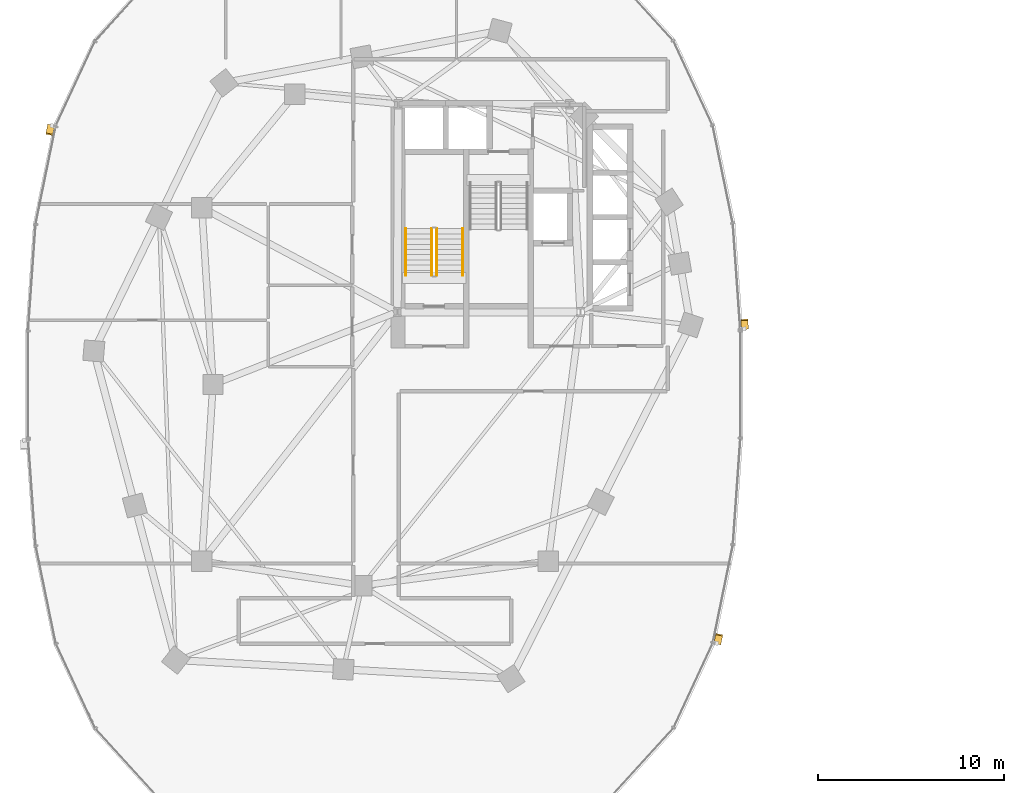
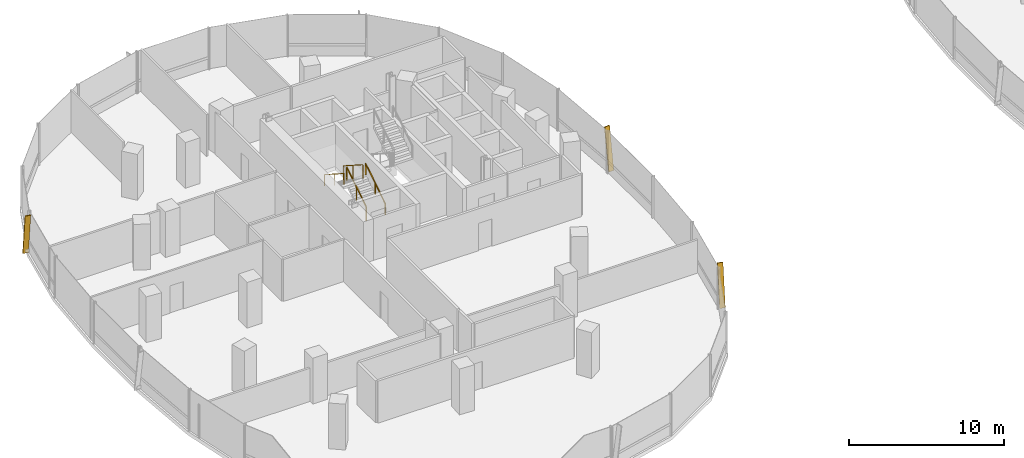
# One storey, part 18 of 21: 4 railings, 3 shading devices.
"""IFC4 building model written with IfcOpenShell, lengths in metres."""

from ifc_helpers import new_model, si_unit, direction, frame, origin, origin_2d, place, context, subcontext, project, spatial, rectangle, extrude, material, material_profile, profile_set, type_object, element, save


model = new_model("IFC4")

# Units and contexts
model_context = context("Model", 3, precision=1e-05, world=origin(), true_north=direction((0.0, 1.0)))
body_context = subcontext(model_context, "Body", "Model", "MODEL_VIEW")
ifc_project = project(units=[si_unit("LENGTHUNIT", "METRE"), si_unit("AREAUNIT", "SQUARE_METRE"), si_unit("VOLUMEUNIT", "CUBIC_METRE"), si_unit("PLANEANGLEUNIT", "RADIAN"), si_unit("MASSUNIT", "GRAM", prefix="KILO"), si_unit("THERMODYNAMICTEMPERATUREUNIT", "KELVIN"), si_unit("POWERUNIT", "WATT")], contexts=[model_context])

# Site, building, storey
site_placement = place(None, origin())
site = spatial("IfcSite", under=ifc_project, at=site_placement, CompositionType="ELEMENT")
building_placement = place(site_placement, origin())
building = spatial("IfcBuilding", under=site, at=building_placement, Name="Cundina Bronze Exchange", CompositionType="ELEMENT")
storey_placement = place(building_placement, frame((0.0, 0.0, 99.800048828125)))
storey = spatial("IfcBuildingStorey", under=building, at=storey_placement, Name="L25", CompositionType="ELEMENT", Elevation=99.800048828125)

# Railings
ifc_material_1 = material(Name="Steel ASTM A36 Painted", Category="steel")
railing_type_1 = type_object("IfcRailingType", Name="RLG-HND-900", PredefinedType="HANDRAIL", material=ifc_material_1)
railing_1_placement = place(storey_placement, frame((-27.7900390625, 5.85009765625, 0.179931640625)))
element("IfcRailing", 1, at=railing_1_placement, inside=storey, type_object=railing_type_1, Name="L25 ST-W1 stair handrail 1", PredefinedType="HANDRAIL", context=body_context, shape_type="SweptSolid", body=[
    extrude(rectangle(XDim=0.048095703125, YDim=0.048095703125, at=origin_2d()), frame((0.0, 0.0, 0.8759765625), z_axis=(0.0, 0.841162588446, 0.540782303519), x_axis=(-1.0, 0.0, 0.0)), (0.0, 0.0, 1.0), 2.995849609375),
    extrude(rectangle(XDim=0.0419921875, YDim=0.0419921875, at=origin_2d()), origin(), (0.0, 0.0, 1.0), 0.851806640625),
    extrude(rectangle(XDim=0.0419921875, YDim=0.0419921875, at=origin_2d()), frame((0.0, 1.260009765625, 0.81005859375)), (0.0, 0.0, 1.0), 0.851806640625),
    extrude(rectangle(XDim=0.0419921875, YDim=0.0419921875, at=origin_2d()), frame((0.0, 2.52001953125, 1.6201171875)), (0.0, 0.0, 1.0), 0.851806640625),
])
railing_2_placement = place(storey_placement, frame((-30.85009765625, 8.3701171875, 1.97998046875)))
element("IfcRailing", 2, at=railing_2_placement, inside=storey, type_object=railing_type_1, Name="L25 ST-W1 stair handrail 2", PredefinedType="HANDRAIL", context=body_context, shape_type="SweptSolid", body=[
    extrude(rectangle(XDim=0.048095703125, YDim=0.048095703125, at=origin_2d()), frame((0.0, 0.0, 0.8759765625), z_axis=(0.0, -0.841199657755, 0.540724639528), x_axis=(1.0, 0.0, 0.0)), (0.0, 0.0, 1.0), 2.995849609375),
    extrude(rectangle(XDim=0.0419921875, YDim=0.0419921875, at=origin_2d()), origin(), (0.0, 0.0, 1.0), 0.851806640625),
    extrude(rectangle(XDim=0.0419921875, YDim=0.0419921875, at=origin_2d()), frame((0.0, -1.260009765625, 0.81005859375)), (0.0, 0.0, 1.0), 0.851806640625),
    extrude(rectangle(XDim=0.0419921875, YDim=0.0419921875, at=origin_2d()), frame((0.0, -2.52001953125, 1.619873046875)), (0.0, 0.0, 1.0), 0.851806640625),
])
railing_type_2 = type_object("IfcRailingType", Name="RLG-STG-1100", PredefinedType="GUARDRAIL", material=ifc_material_1)
railing_3_placement = place(storey_placement, frame((-29.18994140625, 5.85009765625, 0.179931640625)))
element("IfcRailing", 3, at=railing_3_placement, inside=storey, type_object=railing_type_2, Name="L25 ST-W1 stair guard 1", PredefinedType="GUARDRAIL", context=body_context, shape_type="SweptSolid", body=[
    extrude(rectangle(XDim=0.048095703125, YDim=0.048095703125, at=origin_2d()), frame((0.0, 0.0, 1.076171875), z_axis=(0.0, 0.841162588446, 0.540782303519), x_axis=(-1.0, 0.0, 0.0)), (0.0, 0.0, 1.0), 2.995849609375),
    extrude(rectangle(XDim=0.0419921875, YDim=0.0419921875, at=origin_2d()), origin(), (0.0, 0.0, 1.0), 1.052001953125),
    extrude(rectangle(XDim=0.0419921875, YDim=0.0419921875, at=origin_2d()), frame((0.0, 1.260009765625, 0.81005859375)), (0.0, 0.0, 1.0), 1.052001953125),
    extrude(rectangle(XDim=0.0419921875, YDim=0.0419921875, at=origin_2d()), frame((0.0, 2.52001953125, 1.6201171875)), (0.0, 0.0, 1.0), 1.052001953125),
])
railing_4_placement = place(storey_placement, frame((-29.449951171875, 8.3701171875, 1.97998046875)))
element("IfcRailing", 4, at=railing_4_placement, inside=storey, type_object=railing_type_2, Name="L25 ST-W1 stair guard 3", PredefinedType="GUARDRAIL", context=body_context, shape_type="SweptSolid", body=[
    extrude(rectangle(XDim=0.048095703125, YDim=0.048095703125, at=origin_2d()), frame((0.0, 0.0, 1.076171875), z_axis=(0.0, -0.841199657755, 0.540724639528), x_axis=(1.0, 0.0, 0.0)), (0.0, 0.0, 1.0), 2.995849609375),
    extrude(rectangle(XDim=0.0419921875, YDim=0.0419921875, at=origin_2d()), origin(), (0.0, 0.0, 1.0), 1.052001953125),
    extrude(rectangle(XDim=0.0419921875, YDim=0.0419921875, at=origin_2d()), frame((0.0, -1.260009765625, 0.81005859375)), (0.0, 0.0, 1.0), 1.052001953125),
    extrude(rectangle(XDim=0.0419921875, YDim=0.0419921875, at=origin_2d()), frame((0.0, -2.52001953125, 1.619873046875)), (0.0, 0.0, 1.0), 1.052001953125),
])

# Shading devices
ifc_material_2 = material(Name="Anodised Bronze Aluminium 6063-T6", Category="aluminium")
ifc_material_profile = material_profile(ifc_material_2, rectangle(XDim=0.070068359375, YDim=0.3798828125, at=origin_2d()), Name="FIN70X380", Category="aluminium")
ifc_profile_set = profile_set([ifc_material_profile], Name="Anodised Bronze Aluminium 6063-T6")
shading_device_type = type_object("IfcShadingDeviceType", Name="SHD-FIN-BRZ380", PredefinedType="USERDEFINED", material=ifc_profile_set)
for number, where, z_axis, x_axis, name in (
    (5, (-12.6259765625, 2.993896484375, 0.02001953125), (-0.010224545828, 0.145292278041, 0.989335945271), (0.069450050635, -0.986895284755, 0.145651595925), "L25 Diagonal Bronze Solar Fin 1"),
    (6, (-49.89599609375, 13.911865234375, 0.02001953125), (-0.029413888538, -0.142698109128, 0.989329102378), (0.199728220342, 0.968958570224, 0.145698068578), "L25 Diagonal Bronze Solar Fin 5"),
    (7, (-14.10400390625, -13.911865234375, 0.02001953125), (0.029413888538, 0.142698109128, 0.989329102378), (-0.199728220342, -0.968958570224, 0.145698068578), "L25 Diagonal Bronze Solar Fin 5"),
):
    element("IfcShadingDevice", number, at=place(storey_placement, frame(where, z_axis=z_axis, x_axis=x_axis)), inside=storey, type_object=shading_device_type, Name=name, ObjectType="FIN", PredefinedType="USERDEFINED", context=body_context, shape_type="SweptSolid", body=[
        extrude(rectangle(XDim=0.070068359375, YDim=0.3798828125, at=origin_2d()), origin(), (0.0, 0.0, 1.0), 3.295166015625),
    ])

save(model, "model.ifc")
